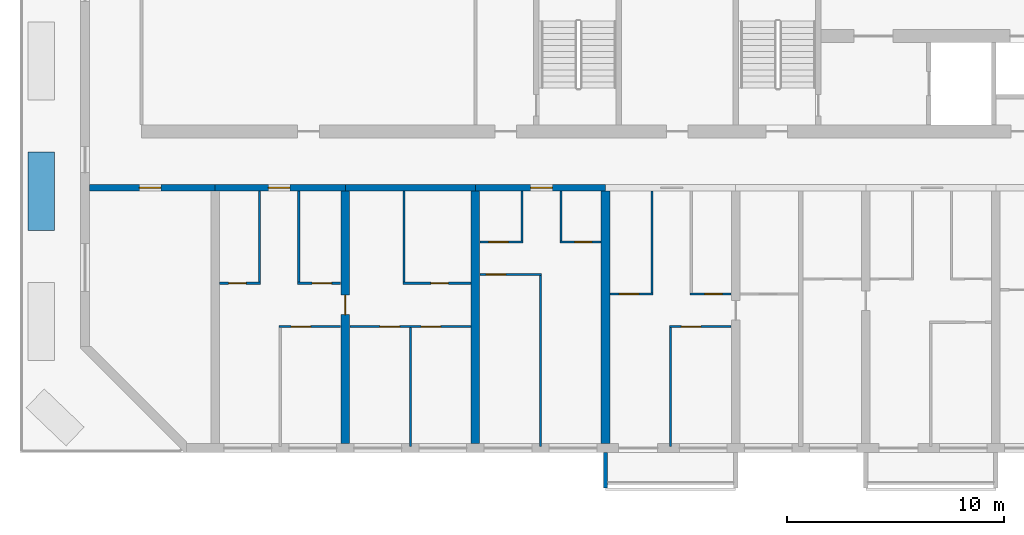
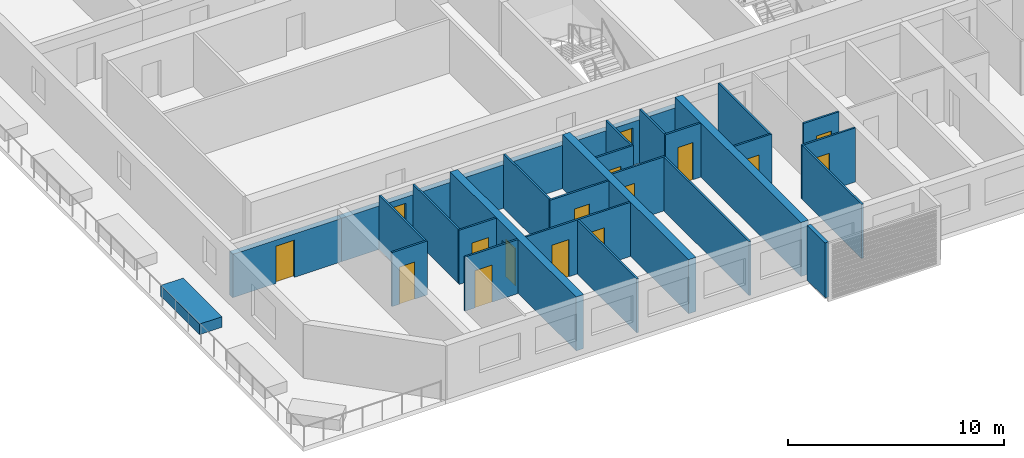
# One storey, part 2 of 23: 29 walls, 16 doors, 16 openings.
"""IFC4 building model written with IfcOpenShell, lengths in metres."""

from ifc_helpers import new_model, si_unit, direction, frame, frame_2d, origin, place, context, subcontext, project, spatial, polyline, rectangle, outline, extrude, source, transform, mapped, material, layer, layer_set, type_object, element, fill, save


model = new_model("IFC4")

# Units and contexts
model_context = context("Model", 3, precision=1e-05, world=origin(), true_north=direction((0.0, 1.0)))
body_context = subcontext(model_context, "Body", "Model", "MODEL_VIEW")
ifc_project = project(units=[si_unit("LENGTHUNIT", "METRE"), si_unit("AREAUNIT", "SQUARE_METRE"), si_unit("VOLUMEUNIT", "CUBIC_METRE"), si_unit("PLANEANGLEUNIT", "RADIAN"), si_unit("MASSUNIT", "GRAM", prefix="KILO")], contexts=[model_context])

# Site, building, storey
site_placement = place(None, origin())
site = spatial("IfcSite", under=ifc_project, at=site_placement, CompositionType="ELEMENT")
building_placement = place(site_placement, origin())
building = spatial("IfcBuilding", under=site, at=building_placement, Name="Poui Terraces", CompositionType="ELEMENT")
storey_placement = place(building_placement, frame((0.0, 0.0, 23.39990234375)))
storey = spatial("IfcBuildingStorey", under=building, at=storey_placement, Name="L05", CompositionType="ELEMENT", Elevation=23.39990234375)

# Wall, opening, door
ifc_material_1 = material(Name="Concrete 80 MPa", Category="concrete")
ifc_layer_1 = layer(ifc_material_1, 0.300048828125)
ifc_layer_set_1 = layer_set([ifc_layer_1], Name="Concrete 80 MPa")
wall_type_1 = type_object("IfcWallType", Name="CORRIDOR WALL 300 80MPa", PredefinedType="SHEAR", material=ifc_layer_set_1)
wall_1_placement = place(storey_placement, frame((0.199951171875, 12.0, 0.0), z_axis=(0.0, 0.0, 1.0), x_axis=(1.0, 0.0, 0.0)))
wall_1 = element("IfcWall", 1, at=wall_1_placement, inside=storey, type_object=wall_type_1, Name="CORRIDOR WALL LINE B BAY 1", PredefinedType="SHEAR", context=body_context, shape_type="SweptSolid", body=[
    extrude(rectangle(XDim=5.800048828125, YDim=0.300048828125, at=frame_2d((2.89990234375, 0.0))), origin(), (0.0, 0.0, 1.0), 2.4501953125),
])
opening_1_placement = place(wall_1_placement, frame((2.300048828125, 0.0, 0.0)))
opening_1 = element("IfcOpeningElement", 2, at=opening_1_placement, cuts=wall_1, Name="Opening D100", PredefinedType="OPENING", context=body_context, shape_type="SweptSolid", body=[
    extrude(rectangle(XDim=1.0, YDim=2.10009765625, at=frame_2d((0.5, 1.050048828125))), frame((0.0, 0.16015625, 0.0), z_axis=(0.0, -1.0, 0.0), x_axis=(1.0, 0.0, 0.0)), (0.0, 0.0, 1.0), 0.320068359375),
])
ifc_material_2 = material(Name="Solid core timber door", Category="wood")
door_type_1 = type_object("IfcDoorType", Name="ACCESSIBLE INTERNAL DOOR 1000 X 2100", OperationType="NOTDEFINED", PredefinedType="DOOR", material=ifc_material_2)
door_1_placement = place(opening_1_placement, frame((1.0, 0.0, 0.0), z_axis=(0.0, 0.0, 1.0), x_axis=(-1.0, 0.0, 0.0)))
door_1 = element("IfcDoor", 3, at=door_1_placement, inside=storey, type_object=door_type_1, Name="ACCESSIBLE INTERNAL DOOR 092", OperationType="SINGLE_SWING_RIGHT", OverallHeight=2.10009765625, OverallWidth=1.0, PredefinedType="DOOR", context=body_context, shape_type="SweptSolid", body=[
    extrude(rectangle(XDim=1.0, YDim=2.10009765625, at=frame_2d((0.5, 1.050048828125))), frame((0.0, 0.02490234375, 0.0), z_axis=(0.0, -1.0, 0.0), x_axis=(1.0, 0.0, 0.0)), (0.0, 0.0, 1.0), 0.050048828125),
])
fill(opening_1, door_1)

wall_2_placement = place(storey_placement, frame((6.0, 12.0, 0.0), z_axis=(0.0, 0.0, 1.0), x_axis=(1.0, 0.0, 0.0)))
wall_2 = element("IfcWall", 4, at=wall_2_placement, inside=storey, type_object=wall_type_1, Name="CORRIDOR WALL LINE B BAY 2", PredefinedType="SHEAR", context=body_context, shape_type="SweptSolid", body=[
    extrude(rectangle(XDim=6.0, YDim=0.300048828125, at=frame_2d((3.0, 0.0))), origin(), (0.0, 0.0, 1.0), 2.4501953125),
])
opening_2_placement = place(wall_2_placement, frame((2.449951171875, 0.0, 0.0)))
opening_2 = element("IfcOpeningElement", 5, at=opening_2_placement, cuts=wall_2, Name="Opening FD30S", PredefinedType="OPENING", context=body_context, shape_type="SweptSolid", body=[
    extrude(rectangle(XDim=1.0, YDim=2.10009765625, at=frame_2d((0.5, 1.050048828125))), frame((0.0, 0.16015625, 0.0), z_axis=(0.0, -1.0, 0.0), x_axis=(1.0, 0.0, 0.0)), (0.0, 0.0, 1.0), 0.320068359375),
])
ifc_material_3 = material(Name="Steel fire door", Category="steel")
door_type_2 = type_object("IfcDoorType", Name="FLAT ENTRANCE DOOR 1000 X 2100", OperationType="NOTDEFINED", PredefinedType="DOOR", material=ifc_material_3)
door_2_placement = place(opening_2_placement, frame((1.0, 0.0, 0.0), z_axis=(0.0, 0.0, 1.0), x_axis=(-1.0, 0.0, 0.0)))
door_2 = element("IfcDoor", 6, at=door_2_placement, inside=storey, type_object=door_type_2, Name="FLAT ENTRANCE DOOR 097", OperationType="SINGLE_SWING_RIGHT", OverallHeight=2.10009765625, OverallWidth=1.0, PredefinedType="DOOR", context=body_context, shape_type="SweptSolid", body=[
    extrude(rectangle(XDim=1.0, YDim=2.10009765625, at=frame_2d((0.5, 1.050048828125))), frame((0.0, 0.02490234375, 0.0), z_axis=(0.0, -1.0, 0.0), x_axis=(1.0, 0.0, 0.0)), (0.0, 0.0, 1.0), 0.050048828125),
])
fill(opening_2, door_2)

# Wall
wall_3_placement = place(storey_placement, frame((12.0, 12.0, 0.0), z_axis=(0.0, 0.0, 1.0), x_axis=(1.0, 0.0, 0.0)))
element("IfcWall", 7, at=wall_3_placement, inside=storey, type_object=wall_type_1, Name="CORRIDOR WALL LINE B BAY 3", PredefinedType="SHEAR", context=body_context, shape_type="SweptSolid", body=[
    extrude(rectangle(XDim=6.0, YDim=0.300048828125, at=frame_2d((3.0, 0.0))), origin(), (0.0, 0.0, 1.0), 2.4501953125),
])

# Wall, opening, door
wall_4_placement = place(storey_placement, frame((18.0, 12.0, 0.0), z_axis=(0.0, 0.0, 1.0), x_axis=(1.0, 0.0, 0.0)))
wall_4 = element("IfcWall", 8, at=wall_4_placement, inside=storey, type_object=wall_type_1, Name="CORRIDOR WALL LINE B BAY 4", PredefinedType="SHEAR", context=body_context, shape_type="SweptSolid", body=[
    extrude(rectangle(XDim=6.0, YDim=0.300048828125, at=frame_2d((3.0, 0.0))), origin(), (0.0, 0.0, 1.0), 2.4501953125),
])
opening_3_placement = place(wall_4_placement, frame((2.550048828125, 0.0, 0.0)))
opening_3 = element("IfcOpeningElement", 9, at=opening_3_placement, cuts=wall_4, Name="Opening FD30S", PredefinedType="OPENING", context=body_context, shape_type="SweptSolid", body=[
    extrude(rectangle(XDim=1.0, YDim=2.10009765625, at=frame_2d((0.5, 1.050048828125))), frame((0.0, 0.16015625, 0.0), z_axis=(0.0, -1.0, 0.0), x_axis=(1.0, 0.0, 0.0)), (0.0, 0.0, 1.0), 0.320068359375),
])
door_3_placement = place(opening_3_placement, frame((1.0, 0.0, 0.0), z_axis=(0.0, 0.0, 1.0), x_axis=(-1.0, 0.0, 0.0)))
door_3 = element("IfcDoor", 10, at=door_3_placement, inside=storey, type_object=door_type_2, Name="FLAT ENTRANCE DOOR 103", OperationType="SINGLE_SWING_LEFT", OverallHeight=2.10009765625, OverallWidth=1.0, PredefinedType="DOOR", context=body_context, shape_type="SweptSolid", body=[
    extrude(rectangle(XDim=1.0, YDim=2.10009765625, at=frame_2d((0.5, 1.050048828125))), frame((0.0, 0.02490234375, 0.0), z_axis=(0.0, -1.0, 0.0), x_axis=(1.0, 0.0, 0.0)), (0.0, 0.0, 1.0), 0.050048828125),
])
fill(opening_3, door_3)

ifc_layer_2 = layer(ifc_material_1, 0.39990234375)
ifc_layer_set_2 = layer_set([ifc_layer_2], Name="Concrete 80 MPa")
wall_type_2 = type_object("IfcWallType", Name="CROSS WALL 400 80MPa", PredefinedType="SHEAR", material=ifc_layer_set_2)
wall_5_placement = place(storey_placement, frame((12.0, 0.199951171875, 0.0), z_axis=(0.0, 0.0, 1.0), x_axis=(0.0, 1.0, 0.0)))
wall_5 = element("IfcWall", 11, at=wall_5_placement, inside=storey, type_object=wall_type_2, Name="CROSS WALL LINE 3 SOUTH", PredefinedType="SHEAR", context=body_context, shape_type="SweptSolid", body=[
    extrude(rectangle(XDim=11.650146484375, YDim=0.39990234375, at=frame_2d((5.8251953125, 0.0))), origin(), (0.0, 0.0, 1.0), 3.050048828125),
])
opening_4_placement = place(wall_5_placement, frame((5.949951171875, 0.0, 0.0)))
opening_4 = element("IfcOpeningElement", 12, at=opening_4_placement, cuts=wall_5, Name="Opening D90", PredefinedType="OPENING", context=body_context, shape_type="SweptSolid", body=[
    extrude(rectangle(XDim=0.89990234375, YDim=2.10009765625, at=frame_2d((0.449951171875, 1.050048828125))), frame((0.0, 0.2099609375, 0.0), z_axis=(0.0, -1.0, 0.0), x_axis=(1.0, 0.0, 0.0)), (0.0, 0.0, 1.0), 0.419921875),
])
door_type_3 = type_object("IfcDoorType", Name="INTERNAL DOOR 900 X 2100", OperationType="NOTDEFINED", PredefinedType="DOOR", material=ifc_material_2)
door_4_placement = place(opening_4_placement, origin())
door_4 = element("IfcDoor", 13, at=door_4_placement, inside=storey, type_object=door_type_3, Name="INTERNAL DOOR 100", OperationType="SINGLE_SWING_RIGHT", OverallHeight=2.10009765625, OverallWidth=0.89990234375, PredefinedType="DOOR", context=body_context, shape_type="SweptSolid", body=[
    extrude(rectangle(XDim=0.89990234375, YDim=2.10009765625, at=frame_2d((0.449951171875, 1.050048828125))), frame((0.0, 0.02490234375, 0.0), z_axis=(0.0, -1.0, 0.0), x_axis=(1.0, 0.0, 0.0)), (0.0, 0.0, 1.0), 0.050048828125),
])
fill(opening_4, door_4)

# Walls
for number, where, z_axis, x_axis, name in (
    (14, (18.0, 0.199951171875, 0.0), (0.0, 0.0, 1.0), (0.0, 1.0, 0.0), "CROSS WALL LINE 4 SOUTH"),
    (15, (24.0, 0.199951171875, 0.0), (0.0, 0.0, 1.0), (0.0, 1.0, 0.0), "CROSS WALL LINE 5 SOUTH"),
):
    element("IfcWall", number, at=place(storey_placement, frame(where, z_axis=z_axis, x_axis=x_axis)), inside=storey, type_object=wall_type_2, Name=name, PredefinedType="SHEAR", context=body_context, shape_type="SweptSolid", body=[
        extrude(rectangle(XDim=11.650146484375, YDim=0.39990234375, at=frame_2d((5.8251953125, 0.0))), origin(), (0.0, 0.0, 1.0), 3.050048828125),
    ])

# Wall, opening, door
ifc_material_4 = material(Name="Plasterboard partition")
ifc_layer_3 = layer(ifc_material_4, 0.10009765625)
ifc_layer_set_3 = layer_set([ifc_layer_3], Name="Plasterboard partition")
wall_type_3 = type_object("IfcWallType", Name="FLAT PARTITION 100", PredefinedType="PARTITIONING", material=ifc_layer_set_3)
wall_6_placement = place(storey_placement, frame((8.949951171875, 5.60009765625, 0.0), z_axis=(0.0, 0.0, 1.0), x_axis=(1.0, 0.0, 0.0)))
wall_6 = element("IfcWall", 16, at=wall_6_placement, inside=storey, type_object=wall_type_3, Name="FLAT PARTITION 100", PredefinedType="PARTITIONING", context=body_context, shape_type="SweptSolid", body=[
    extrude(rectangle(XDim=2.840087890625, YDim=0.10009765625, at=frame_2d((1.419921875, 0.0))), origin(), (0.0, 0.0, 1.0), 3.050048828125),
])
opening_5_placement = place(wall_6_placement, frame((0.550048828125, 0.0, 0.0)))
opening_5 = element("IfcOpeningElement", 17, at=opening_5_placement, cuts=wall_6, Name="Opening D90", PredefinedType="OPENING", context=body_context, shape_type="SweptSolid", body=[
    extrude(rectangle(XDim=0.89990234375, YDim=2.10009765625, at=frame_2d((0.449951171875, 1.050048828125))), frame((0.0, 0.06005859375, 0.0), z_axis=(0.0, -1.0, 0.0), x_axis=(1.0, 0.0, 0.0)), (0.0, 0.0, 1.0), 0.1201171875),
])
door_5_placement = place(opening_5_placement, origin())
door_5 = element("IfcDoor", 18, at=door_5_placement, inside=storey, type_object=door_type_3, Name="INTERNAL DOOR 098", OperationType="SINGLE_SWING_RIGHT", OverallHeight=2.10009765625, OverallWidth=0.89990234375, PredefinedType="DOOR", context=body_context, shape_type="SweptSolid", body=[
    extrude(rectangle(XDim=0.89990234375, YDim=2.10009765625, at=frame_2d((0.449951171875, 1.050048828125))), frame((0.0, 0.02490234375, 0.0), z_axis=(0.0, -1.0, 0.0), x_axis=(1.0, 0.0, 0.0)), (0.0, 0.0, 1.0), 0.050048828125),
])
fill(opening_5, door_5)

# Wall, openings, doors
wall_7_placement = place(storey_placement, frame((12.2099609375, 5.60009765625, 0.0), z_axis=(0.0, 0.0, 1.0), x_axis=(1.0, 0.0, 0.0)))
wall_7 = element("IfcWall", 19, at=wall_7_placement, inside=storey, type_object=wall_type_3, Name="FLAT PARTITION 100", PredefinedType="PARTITIONING", context=body_context, shape_type="SweptSolid", body=[
    extrude(rectangle(XDim=5.580078125, YDim=0.10009765625, at=frame_2d((2.7900390625, 0.0))), origin(), (0.0, 0.0, 1.0), 3.050048828125),
])
opening_6_placement = place(wall_7_placement, frame((1.389892578125, 0.0, 0.0)))
opening_6 = element("IfcOpeningElement", 20, at=opening_6_placement, cuts=wall_7, Name="Opening D90", PredefinedType="OPENING", context=body_context, shape_type="SweptSolid", body=[
    extrude(rectangle(XDim=0.89990234375, YDim=2.10009765625, at=frame_2d((0.449951171875, 1.050048828125))), frame((0.0, 0.06005859375, 0.0), z_axis=(0.0, -1.0, 0.0), x_axis=(1.0, 0.0, 0.0)), (0.0, 0.0, 1.0), 0.1201171875),
])
opening_7_placement = place(wall_7_placement, frame((3.2900390625, 0.0, 0.0)))
opening_7 = element("IfcOpeningElement", 21, at=opening_7_placement, cuts=wall_7, Name="Opening D90", PredefinedType="OPENING", context=body_context, shape_type="SweptSolid", body=[
    extrude(rectangle(XDim=0.89990234375, YDim=2.10009765625, at=frame_2d((0.449951171875, 1.050048828125))), frame((0.0, 0.06005859375, 0.0), z_axis=(0.0, -1.0, 0.0), x_axis=(1.0, 0.0, 0.0)), (0.0, 0.0, 1.0), 0.1201171875),
])
door_6_placement = place(opening_6_placement, frame((0.89990234375, 0.0, 0.0), z_axis=(0.0, 0.0, 1.0), x_axis=(-1.0, 0.0, 0.0)))
door_6 = element("IfcDoor", 22, at=door_6_placement, inside=storey, type_object=door_type_3, Name="INTERNAL DOOR 093", OperationType="SINGLE_SWING_LEFT", OverallHeight=2.10009765625, OverallWidth=0.89990234375, PredefinedType="DOOR", context=body_context, shape_type="SweptSolid", body=[
    extrude(rectangle(XDim=0.89990234375, YDim=2.10009765625, at=frame_2d((0.449951171875, 1.050048828125))), frame((0.0, 0.02490234375, 0.0), z_axis=(0.0, -1.0, 0.0), x_axis=(1.0, 0.0, 0.0)), (0.0, 0.0, 1.0), 0.050048828125),
])
fill(opening_6, door_6)
door_7_placement = place(opening_7_placement, frame((0.89990234375, 0.0, 0.0), z_axis=(0.0, 0.0, 1.0), x_axis=(-1.0, 0.0, 0.0)))
door_7 = element("IfcDoor", 23, at=door_7_placement, inside=storey, type_object=door_type_3, Name="INTERNAL DOOR 094", OperationType="SINGLE_SWING_RIGHT", OverallHeight=2.10009765625, OverallWidth=0.89990234375, PredefinedType="DOOR", context=body_context, shape_type="SweptSolid", body=[
    extrude(rectangle(XDim=0.89990234375, YDim=2.10009765625, at=frame_2d((0.449951171875, 1.050048828125))), frame((0.0, 0.02490234375, 0.0), z_axis=(0.0, -1.0, 0.0), x_axis=(1.0, 0.0, 0.0)), (0.0, 0.0, 1.0), 0.050048828125),
])
fill(opening_7, door_7)

# Wall, opening, door
wall_8_placement = place(storey_placement, frame((26.949951171875, 5.60009765625, 0.0), z_axis=(0.0, 0.0, 1.0), x_axis=(1.0, 0.0, 0.0)))
wall_8 = element("IfcWall", 24, at=wall_8_placement, inside=storey, type_object=wall_type_3, Name="FLAT PARTITION 100", PredefinedType="PARTITIONING", context=body_context, shape_type="SweptSolid", body=[
    extrude(rectangle(XDim=2.840087890625, YDim=0.10009765625, at=frame_2d((1.419921875, 0.0))), origin(), (0.0, 0.0, 1.0), 3.050048828125),
])
opening_8_placement = place(wall_8_placement, frame((0.550048828125, 0.0, 0.0)))
opening_8 = element("IfcOpeningElement", 25, at=opening_8_placement, cuts=wall_8, Name="Opening D90", PredefinedType="OPENING", context=body_context, shape_type="SweptSolid", body=[
    extrude(rectangle(XDim=0.89990234375, YDim=2.10009765625, at=frame_2d((0.449951171875, 1.050048828125))), frame((0.0, 0.06005859375, 0.0), z_axis=(0.0, -1.0, 0.0), x_axis=(1.0, 0.0, 0.0)), (0.0, 0.0, 1.0), 0.1201171875),
])
door_8_placement = place(opening_8_placement, origin())
door_8 = element("IfcDoor", 26, at=door_8_placement, inside=storey, type_object=door_type_3, Name="INTERNAL DOOR 108", OperationType="SINGLE_SWING_RIGHT", OverallHeight=2.10009765625, OverallWidth=0.89990234375, PredefinedType="DOOR", context=body_context, shape_type="SweptSolid", body=[
    extrude(rectangle(XDim=0.89990234375, YDim=2.10009765625, at=frame_2d((0.449951171875, 1.050048828125))), frame((0.0, 0.02490234375, 0.0), z_axis=(0.0, -1.0, 0.0), x_axis=(1.0, 0.0, 0.0)), (0.0, 0.0, 1.0), 0.050048828125),
])
fill(opening_8, door_8)

wall_9_placement = place(storey_placement, frame((24.2099609375, 7.10009765625, 0.0), z_axis=(0.0, 0.0, 1.0), x_axis=(1.0, 0.0, 0.0)))
wall_9 = element("IfcWall", 27, at=wall_9_placement, inside=storey, type_object=wall_type_3, Name="FLAT PARTITION 100", PredefinedType="PARTITIONING", context=body_context, shape_type="SweptSolid", body=[
    extrude(rectangle(XDim=1.989990234375, YDim=0.10009765625, at=frame_2d((0.9951171875, 0.0))), origin(), (0.0, 0.0, 1.0), 3.050048828125),
])
opening_9_placement = place(wall_9_placement, frame((0.4150390625, 0.0, 0.0)))
opening_9 = element("IfcOpeningElement", 28, at=opening_9_placement, cuts=wall_9, Name="Opening D90", PredefinedType="OPENING", context=body_context, shape_type="SweptSolid", body=[
    extrude(rectangle(XDim=0.89990234375, YDim=2.10009765625, at=frame_2d((0.449951171875, 1.050048828125))), frame((0.0, 0.06005859375, 0.0), z_axis=(0.0, -1.0, 0.0), x_axis=(1.0, 0.0, 0.0)), (0.0, 0.0, 1.0), 0.1201171875),
])
door_9_placement = place(opening_9_placement, origin())
door_9 = element("IfcDoor", 29, at=door_9_placement, inside=storey, type_object=door_type_3, Name="INTERNAL DOOR 106", OperationType="SINGLE_SWING_RIGHT", OverallHeight=2.10009765625, OverallWidth=0.89990234375, PredefinedType="DOOR", context=body_context, shape_type="SweptSolid", body=[
    extrude(rectangle(XDim=0.89990234375, YDim=2.10009765625, at=frame_2d((0.449951171875, 1.050048828125))), frame((0.0, 0.02490234375, 0.0), z_axis=(0.0, -1.0, 0.0), x_axis=(1.0, 0.0, 0.0)), (0.0, 0.0, 1.0), 0.050048828125),
])
fill(opening_9, door_9)

wall_10_placement = place(storey_placement, frame((27.89990234375, 7.10009765625, 0.0), z_axis=(0.0, 0.0, 1.0), x_axis=(1.0, 0.0, 0.0)))
wall_10 = element("IfcWall", 30, at=wall_10_placement, inside=storey, type_object=wall_type_3, Name="FLAT PARTITION 100", PredefinedType="PARTITIONING", context=body_context, shape_type="SweptSolid", body=[
    extrude(rectangle(XDim=1.89013671875, YDim=0.10009765625, at=frame_2d((0.945068359375, 0.0))), origin(), (0.0, 0.0, 1.0), 3.050048828125),
])
opening_10_placement = place(wall_10_placement, frame((0.675048828125, 0.0, 0.0)))
opening_10 = element("IfcOpeningElement", 31, at=opening_10_placement, cuts=wall_10, Name="Opening D80", PredefinedType="OPENING", context=body_context, shape_type="SweptSolid", body=[
    extrude(rectangle(XDim=0.800048828125, YDim=2.10009765625, at=frame_2d((0.39990234375, 1.050048828125))), frame((0.0, 0.06005859375, 0.0), z_axis=(0.0, -1.0, 0.0), x_axis=(1.0, 0.0, 0.0)), (0.0, 0.0, 1.0), 0.1201171875),
])
door_type_4 = type_object("IfcDoorType", Name="BATHROOM, LAUNDRY AND STORE DOOR 800 X 2100", OperationType="NOTDEFINED", PredefinedType="DOOR", material=ifc_material_2)
door_10_placement = place(opening_10_placement, origin())
door_10 = element("IfcDoor", 32, at=door_10_placement, inside=storey, type_object=door_type_4, Name="BATHROOM, LAUNDRY AND STORE DOOR 109", OperationType="SINGLE_SWING_LEFT", OverallHeight=2.10009765625, OverallWidth=0.800048828125, PredefinedType="DOOR", context=body_context, shape_type="SweptSolid", body=[
    extrude(rectangle(XDim=0.800048828125, YDim=2.10009765625, at=frame_2d((0.39990234375, 1.050048828125))), frame((0.0, 0.02490234375, 0.0), z_axis=(0.0, -1.0, 0.0), x_axis=(1.0, 0.0, 0.0)), (0.0, 0.0, 1.0), 0.050048828125),
])
fill(opening_10, door_10)

wall_11_placement = place(storey_placement, frame((6.2099609375, 7.60009765625, 0.0), z_axis=(0.0, 0.0, 1.0), x_axis=(1.0, 0.0, 0.0)))
wall_11 = element("IfcWall", 33, at=wall_11_placement, inside=storey, type_object=wall_type_3, Name="FLAT PARTITION 100", PredefinedType="PARTITIONING", context=body_context, shape_type="SweptSolid", body=[
    extrude(rectangle(XDim=1.89013671875, YDim=0.10009765625, at=frame_2d((0.945068359375, 0.0))), origin(), (0.0, 0.0, 1.0), 3.050048828125),
])
opening_11_placement = place(wall_11_placement, frame((0.4150390625, 0.0, 0.0)))
opening_11 = element("IfcOpeningElement", 34, at=opening_11_placement, cuts=wall_11, Name="Opening D80", PredefinedType="OPENING", context=body_context, shape_type="SweptSolid", body=[
    extrude(rectangle(XDim=0.800048828125, YDim=2.10009765625, at=frame_2d((0.39990234375, 1.050048828125))), frame((0.0, 0.06005859375, 0.0), z_axis=(0.0, -1.0, 0.0), x_axis=(1.0, 0.0, 0.0)), (0.0, 0.0, 1.0), 0.1201171875),
])
door_11_placement = place(opening_11_placement, origin())
door_11 = element("IfcDoor", 35, at=door_11_placement, inside=storey, type_object=door_type_4, Name="BATHROOM, LAUNDRY AND STORE DOOR 096", OperationType="SINGLE_SWING_RIGHT", OverallHeight=2.10009765625, OverallWidth=0.800048828125, PredefinedType="DOOR", context=body_context, shape_type="SweptSolid", body=[
    extrude(rectangle(XDim=0.800048828125, YDim=2.10009765625, at=frame_2d((0.39990234375, 1.050048828125))), frame((0.0, 0.02490234375, 0.0), z_axis=(0.0, -1.0, 0.0), x_axis=(1.0, 0.0, 0.0)), (0.0, 0.0, 1.0), 0.050048828125),
])
fill(opening_11, door_11)

wall_12_placement = place(storey_placement, frame((9.800048828125, 7.60009765625, 0.0), z_axis=(0.0, 0.0, 1.0), x_axis=(1.0, 0.0, 0.0)))
wall_12 = element("IfcWall", 36, at=wall_12_placement, inside=storey, type_object=wall_type_3, Name="FLAT PARTITION 100", PredefinedType="PARTITIONING", context=body_context, shape_type="SweptSolid", body=[
    extrude(rectangle(XDim=1.989990234375, YDim=0.10009765625, at=frame_2d((0.9951171875, 0.0))), origin(), (0.0, 0.0, 1.0), 3.050048828125),
])
opening_12_placement = place(wall_12_placement, frame((0.675048828125, 0.0, 0.0)))
opening_12 = element("IfcOpeningElement", 37, at=opening_12_placement, cuts=wall_12, Name="Opening D90", PredefinedType="OPENING", context=body_context, shape_type="SweptSolid", body=[
    extrude(rectangle(XDim=0.89990234375, YDim=2.10009765625, at=frame_2d((0.449951171875, 1.050048828125))), frame((0.0, 0.06005859375, 0.0), z_axis=(0.0, -1.0, 0.0), x_axis=(1.0, 0.0, 0.0)), (0.0, 0.0, 1.0), 0.1201171875),
])
door_12_placement = place(opening_12_placement, origin())
door_12 = element("IfcDoor", 38, at=door_12_placement, inside=storey, type_object=door_type_3, Name="INTERNAL DOOR 099", OperationType="SINGLE_SWING_LEFT", OverallHeight=2.10009765625, OverallWidth=0.89990234375, PredefinedType="DOOR", context=body_context, shape_type="SweptSolid", body=[
    extrude(rectangle(XDim=0.89990234375, YDim=2.10009765625, at=frame_2d((0.449951171875, 1.050048828125))), frame((0.0, 0.02490234375, 0.0), z_axis=(0.0, -1.0, 0.0), x_axis=(1.0, 0.0, 0.0)), (0.0, 0.0, 1.0), 0.050048828125),
])
fill(opening_12, door_12)

wall_13_placement = place(storey_placement, frame((14.64990234375, 7.60009765625, 0.0), z_axis=(0.0, 0.0, 1.0), x_axis=(1.0, 0.0, 0.0)))
wall_13 = element("IfcWall", 39, at=wall_13_placement, inside=storey, type_object=wall_type_3, Name="FLAT PARTITION 100", PredefinedType="PARTITIONING", context=body_context, shape_type="SweptSolid", body=[
    extrude(rectangle(XDim=3.14013671875, YDim=0.10009765625, at=frame_2d((1.570068359375, 0.0))), origin(), (0.0, 0.0, 1.0), 3.050048828125),
])
opening_13_placement = place(wall_13_placement, frame((1.300048828125, 0.0, 0.0)))
opening_13 = element("IfcOpeningElement", 40, at=opening_13_placement, cuts=wall_13, Name="Opening D80", PredefinedType="OPENING", context=body_context, shape_type="SweptSolid", body=[
    extrude(rectangle(XDim=0.800048828125, YDim=2.10009765625, at=frame_2d((0.39990234375, 1.050048828125))), frame((0.0, 0.06005859375, 0.0), z_axis=(0.0, -1.0, 0.0), x_axis=(1.0, 0.0, 0.0)), (0.0, 0.0, 1.0), 0.1201171875),
])
door_13_placement = place(opening_13_placement, frame((0.800048828125, 0.0, 0.0), z_axis=(0.0, 0.0, 1.0), x_axis=(-1.0, 0.0, 0.0)))
door_13 = element("IfcDoor", 41, at=door_13_placement, inside=storey, type_object=door_type_4, Name="BATHROOM, LAUNDRY AND STORE DOOR 095", OperationType="SINGLE_SWING_RIGHT", OverallHeight=2.10009765625, OverallWidth=0.800048828125, PredefinedType="DOOR", context=body_context, shape_type="SweptSolid", body=[
    extrude(rectangle(XDim=0.800048828125, YDim=2.10009765625, at=frame_2d((0.39990234375, 1.050048828125))), frame((0.0, 0.02490234375, 0.0), z_axis=(0.0, -1.0, 0.0), x_axis=(1.0, 0.0, 0.0)), (0.0, 0.0, 1.0), 0.050048828125),
])
fill(opening_13, door_13)

wall_14_placement = place(storey_placement, frame((18.2099609375, 8.0, 0.0), z_axis=(0.0, 0.0, 1.0), x_axis=(1.0, 0.0, 0.0)))
wall_14 = element("IfcWall", 42, at=wall_14_placement, inside=storey, type_object=wall_type_3, Name="FLAT PARTITION 100", PredefinedType="PARTITIONING", context=body_context, shape_type="SweptSolid", body=[
    extrude(rectangle(XDim=2.840087890625, YDim=0.10009765625, at=frame_2d((1.419921875, 0.0))), origin(), (0.0, 0.0, 1.0), 3.050048828125),
])
opening_14_placement = place(wall_14_placement, frame((0.2900390625, 0.0, 0.0)))
opening_14 = element("IfcOpeningElement", 43, at=opening_14_placement, cuts=wall_14, Name="Opening D90", PredefinedType="OPENING", context=body_context, shape_type="SweptSolid", body=[
    extrude(rectangle(XDim=0.89990234375, YDim=2.10009765625, at=frame_2d((0.449951171875, 1.050048828125))), frame((0.0, 0.06005859375, 0.0), z_axis=(0.0, -1.0, 0.0), x_axis=(1.0, 0.0, 0.0)), (0.0, 0.0, 1.0), 0.1201171875),
])
door_14_placement = place(opening_14_placement, origin())
door_14 = element("IfcDoor", 44, at=door_14_placement, inside=storey, type_object=door_type_3, Name="INTERNAL DOOR 101", OperationType="SINGLE_SWING_RIGHT", OverallHeight=2.10009765625, OverallWidth=0.89990234375, PredefinedType="DOOR", context=body_context, shape_type="SweptSolid", body=[
    extrude(rectangle(XDim=0.89990234375, YDim=2.10009765625, at=frame_2d((0.449951171875, 1.050048828125))), frame((0.0, 0.02490234375, 0.0), z_axis=(0.0, -1.0, 0.0), x_axis=(1.0, 0.0, 0.0)), (0.0, 0.0, 1.0), 0.050048828125),
])
fill(opening_14, door_14)

wall_15_placement = place(storey_placement, frame((18.2099609375, 9.5, 0.0), z_axis=(0.0, 0.0, 1.0), x_axis=(1.0, 0.0, 0.0)))
wall_15 = element("IfcWall", 45, at=wall_15_placement, inside=storey, type_object=wall_type_3, Name="FLAT PARTITION 100", PredefinedType="PARTITIONING", context=body_context, shape_type="SweptSolid", body=[
    extrude(rectangle(XDim=1.989990234375, YDim=0.10009765625, at=frame_2d((0.9951171875, 0.0))), origin(), (0.0, 0.0, 1.0), 3.050048828125),
])
opening_15_placement = place(wall_15_placement, frame((0.4150390625, 0.0, 0.0)))
opening_15 = element("IfcOpeningElement", 46, at=opening_15_placement, cuts=wall_15, Name="Opening D90", PredefinedType="OPENING", context=body_context, shape_type="SweptSolid", body=[
    extrude(rectangle(XDim=0.89990234375, YDim=2.10009765625, at=frame_2d((0.449951171875, 1.050048828125))), frame((0.0, 0.06005859375, 0.0), z_axis=(0.0, -1.0, 0.0), x_axis=(1.0, 0.0, 0.0)), (0.0, 0.0, 1.0), 0.1201171875),
])
door_15_placement = place(opening_15_placement, origin())
door_15 = element("IfcDoor", 47, at=door_15_placement, inside=storey, type_object=door_type_3, Name="INTERNAL DOOR 102", OperationType="SINGLE_SWING_LEFT", OverallHeight=2.10009765625, OverallWidth=0.89990234375, PredefinedType="DOOR", context=body_context, shape_type="SweptSolid", body=[
    extrude(rectangle(XDim=0.89990234375, YDim=2.10009765625, at=frame_2d((0.449951171875, 1.050048828125))), frame((0.0, 0.02490234375, 0.0), z_axis=(0.0, -1.0, 0.0), x_axis=(1.0, 0.0, 0.0)), (0.0, 0.0, 1.0), 0.050048828125),
])
fill(opening_15, door_15)

wall_16_placement = place(storey_placement, frame((21.89990234375, 9.5, 0.0), z_axis=(0.0, 0.0, 1.0), x_axis=(1.0, 0.0, 0.0)))
wall_16 = element("IfcWall", 48, at=wall_16_placement, inside=storey, type_object=wall_type_3, Name="FLAT PARTITION 100", PredefinedType="PARTITIONING", context=body_context, shape_type="SweptSolid", body=[
    extrude(rectangle(XDim=1.89013671875, YDim=0.10009765625, at=frame_2d((0.945068359375, 0.0))), origin(), (0.0, 0.0, 1.0), 3.050048828125),
])
opening_16_placement = place(wall_16_placement, frame((0.675048828125, 0.0, 0.0)))
opening_16 = element("IfcOpeningElement", 49, at=opening_16_placement, cuts=wall_16, Name="Opening D80", PredefinedType="OPENING", context=body_context, shape_type="SweptSolid", body=[
    extrude(rectangle(XDim=0.800048828125, YDim=2.10009765625, at=frame_2d((0.39990234375, 1.050048828125))), frame((0.0, 0.06005859375, 0.0), z_axis=(0.0, -1.0, 0.0), x_axis=(1.0, 0.0, 0.0)), (0.0, 0.0, 1.0), 0.1201171875),
])
door_16_placement = place(opening_16_placement, origin())
door_16 = element("IfcDoor", 50, at=door_16_placement, inside=storey, type_object=door_type_4, Name="BATHROOM, LAUNDRY AND STORE DOOR 104", OperationType="SINGLE_SWING_RIGHT", OverallHeight=2.10009765625, OverallWidth=0.800048828125, PredefinedType="DOOR", context=body_context, shape_type="SweptSolid", body=[
    extrude(rectangle(XDim=0.800048828125, YDim=2.10009765625, at=frame_2d((0.39990234375, 1.050048828125))), frame((0.0, 0.02490234375, 0.0), z_axis=(0.0, -1.0, 0.0), x_axis=(1.0, 0.0, 0.0)), (0.0, 0.0, 1.0), 0.050048828125),
])
fill(opening_16, door_16)

# Walls
for number, where, z_axis, x_axis, name in (
    (51, (8.050048828125, 7.64990234375, 0.0), (0.0, 0.0, 1.0), (0.0, 1.0, 0.0), "FLAT PARTITION 100"),
    (52, (9.85009765625, 7.64990234375, 0.0), (0.0, 0.0, 1.0), (0.0, 1.0, 0.0), "FLAT PARTITION 100"),
    (53, (14.699951171875, 7.64990234375, 0.0), (0.0, 0.0, 1.0), (0.0, 1.0, 0.0), "FLAT PARTITION 100"),
):
    element("IfcWall", number, at=place(storey_placement, frame(where, z_axis=z_axis, x_axis=x_axis)), inside=storey, type_object=wall_type_3, Name=name, PredefinedType="PARTITIONING", context=body_context, shape_type="SweptSolid", body=[
        extrude(rectangle(XDim=4.190185546875, YDim=0.10009765625, at=frame_2d((2.09521484375, 0.0))), origin(), (0.0, 0.0, 1.0), 3.050048828125),
    ])
wall_17_placement = place(storey_placement, frame((15.0, 0.06005859375, 0.0), z_axis=(0.0, 0.0, 1.0), x_axis=(0.0, 1.0, 0.0)))
element("IfcWall", 54, at=wall_17_placement, inside=storey, type_object=wall_type_3, Name="FLAT PARTITION 100", PredefinedType="PARTITIONING", context=body_context, shape_type="SweptSolid", body=[
    extrude(rectangle(XDim=5.489990234375, YDim=0.10009765625, at=frame_2d((2.7451171875, 0.0))), origin(), (0.0, 0.0, 1.0), 3.050048828125),
])
wall_18_placement = place(storey_placement, frame((20.14990234375, 9.550048828125, 0.0), z_axis=(0.0, 0.0, 1.0), x_axis=(0.0, 1.0, 0.0)))
element("IfcWall", 55, at=wall_18_placement, inside=storey, type_object=wall_type_3, Name="FLAT PARTITION 100", PredefinedType="PARTITIONING", context=body_context, shape_type="SweptSolid", body=[
    extrude(rectangle(XDim=2.2900390625, YDim=0.10009765625, at=frame_2d((1.14501953125, 0.0))), origin(), (0.0, 0.0, 1.0), 3.050048828125),
])
wall_19_placement = place(storey_placement, frame((21.0, 0.06005859375, 0.0), z_axis=(0.0, 0.0, 1.0), x_axis=(0.0, 1.0, 0.0)))
element("IfcWall", 56, at=wall_19_placement, inside=storey, type_object=wall_type_3, Name="FLAT PARTITION 100", PredefinedType="PARTITIONING", context=body_context, shape_type="SweptSolid", body=[
    extrude(rectangle(XDim=7.889892578125, YDim=0.10009765625, at=frame_2d((3.94482421875, 0.0))), origin(), (0.0, 0.0, 1.0), 3.050048828125),
])
wall_20_placement = place(storey_placement, frame((21.949951171875, 9.550048828125, 0.0), z_axis=(0.0, 0.0, 1.0), x_axis=(0.0, 1.0, 0.0)))
element("IfcWall", 57, at=wall_20_placement, inside=storey, type_object=wall_type_3, Name="FLAT PARTITION 100", PredefinedType="PARTITIONING", context=body_context, shape_type="SweptSolid", body=[
    extrude(rectangle(XDim=2.2900390625, YDim=0.10009765625, at=frame_2d((1.14501953125, 0.0))), origin(), (0.0, 0.0, 1.0), 3.050048828125),
])
wall_21_placement = place(storey_placement, frame((26.14990234375, 7.14990234375, 0.0), z_axis=(0.0, 0.0, 1.0), x_axis=(0.0, 1.0, 0.0)))
element("IfcWall", 58, at=wall_21_placement, inside=storey, type_object=wall_type_3, Name="FLAT PARTITION 100", PredefinedType="PARTITIONING", context=body_context, shape_type="SweptSolid", body=[
    extrude(rectangle(XDim=4.690185546875, YDim=0.10009765625, at=frame_2d((2.34521484375, 0.0))), origin(), (0.0, 0.0, 1.0), 3.050048828125),
])
wall_22_placement = place(storey_placement, frame((27.0, 0.06005859375, 0.0), z_axis=(0.0, 0.0, 1.0), x_axis=(0.0, 1.0, 0.0)))
element("IfcWall", 59, at=wall_22_placement, inside=storey, type_object=wall_type_3, Name="FLAT PARTITION 100", PredefinedType="PARTITIONING", context=body_context, shape_type="SweptSolid", body=[
    extrude(rectangle(XDim=5.489990234375, YDim=0.10009765625, at=frame_2d((2.7451171875, 0.0))), origin(), (0.0, 0.0, 1.0), 3.050048828125),
])
ifc_material_5 = material(Name="Precast concrete 40 MPa", Category="concrete")
ifc_layer_4 = layer(ifc_material_5, 1.199951171875)
ifc_layer_set_4 = layer_set([ifc_layer_4], Name="Precast concrete 40 MPa")
wall_type_4 = type_object("IfcWallType", Name="PLANTER 600", PredefinedType="USERDEFINED", material=ifc_layer_set_4)
shared_shape_1 = source(origin(), body_context, "Body", "SweptSolid", [
    extrude(outline(polyline([(0.0, 0.0), (1.2001953125, 0.0), (1.2001953125, 3.599853515625), (0.0, 3.599853515625), (0.0, 0.0)])), origin(), (0.0, 0.0, 1.0), 0.60009765625),
])
wall_23_placement = place(storey_placement, frame((-2.6201171875, 10.0400390625, 0.0)))
element("IfcWall", 60, at=wall_23_placement, inside=storey, type_object=wall_type_4, Name="PLANTER", ObjectType="PLANTER", PredefinedType="USERDEFINED", context=body_context, shape_type="MappedRepresentation", body=[
    mapped(shared_shape_1, transform((0.0, 0.0, 0.0))),
])
ifc_layer_5 = layer(ifc_material_5, 0.199951171875)
ifc_layer_set_5 = layer_set([ifc_layer_5], Name="Precast concrete 40 MPa")
wall_type_5 = type_object("IfcWallType", Name="REAR FIN 200", PredefinedType="STANDARD", material=ifc_layer_set_5)
shared_shape_2 = source(origin(), body_context, "Body", "SweptSolid", [
    extrude(outline(polyline([(0.0, 0.0), (0.2001953125, 0.0), (0.2001953125, 1.650146484375), (0.0, 1.650146484375), (0.0, 0.0)])), origin(), (0.0, 0.0, 1.0), 3.10009765625),
])
wall_24_placement = place(storey_placement, frame((23.89990234375, -1.85009765625, 0.0)))
element("IfcWall", 61, at=wall_24_placement, inside=storey, type_object=wall_type_5, Name="REAR FIN", PredefinedType="STANDARD", context=body_context, shape_type="MappedRepresentation", body=[
    mapped(shared_shape_2, transform((0.0, 0.0, 0.0))),
])

save(model, "model.ifc")
